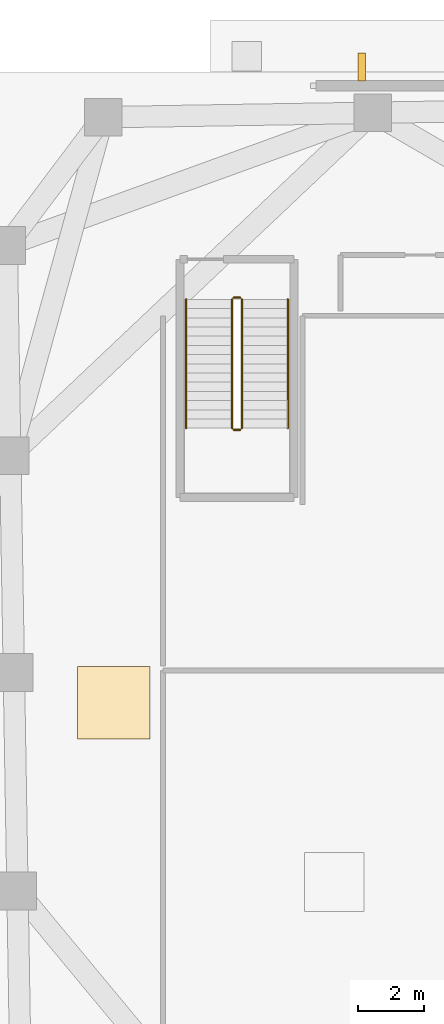
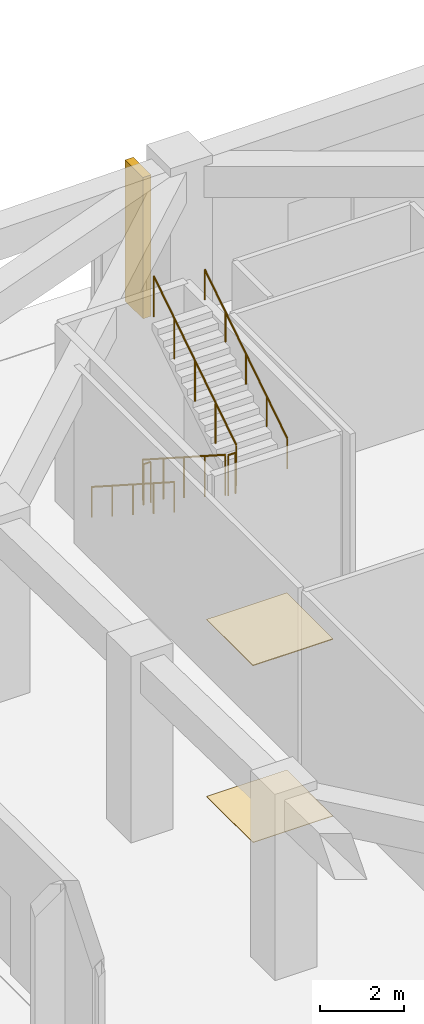
# One storey, part 18 of 19: 6 railings, 2 coverings, 1 shading device.
"""IFC4 building model written with IfcOpenShell, lengths in metres."""

from ifc_helpers import new_model, si_unit, direction, frame, origin, origin_2d, place, context, subcontext, project, spatial, rectangle, circle, extrude, material, layer, layer_set, type_object, element, save


model = new_model("IFC4")

# Units and contexts
model_context = context("Model", 3, precision=1e-05, world=origin(), true_north=direction((0.0, 1.0)))
body_context = subcontext(model_context, "Body", "Model", "MODEL_VIEW")
ifc_project = project(units=[si_unit("LENGTHUNIT", "METRE"), si_unit("AREAUNIT", "SQUARE_METRE"), si_unit("VOLUMEUNIT", "CUBIC_METRE"), si_unit("PLANEANGLEUNIT", "RADIAN"), si_unit("MASSUNIT", "GRAM", prefix="KILO")], contexts=[model_context])

# Site, building, storey
site_placement = place(None, origin())
site = spatial("IfcSite", under=ifc_project, at=site_placement, CompositionType="ELEMENT")
building_placement = place(site_placement, origin())
building = spatial("IfcBuilding", under=site, at=building_placement, Name="Gaonmaruhae Medical Tower", CompositionType="ELEMENT")
storey_placement = place(building_placement, origin())
storey = spatial("IfcBuildingStorey", under=building, at=storey_placement, Name="L00", CompositionType="ELEMENT", Elevation=0.0)

# Coverings
ifc_material_1 = material(Name="Acoustic mineral ceiling tile", Category="finish")
ifc_layer_1 = layer(ifc_material_1, 0.02490234375)
ifc_layer_set_1 = layer_set([ifc_layer_1], Name="Acoustic mineral ceiling tile")
covering_type_1 = type_object("IfcCoveringType", Name="CLG-01 Antimicrobial Acoustic Mineral Ceiling", PredefinedType="CEILING", material=ifc_layer_set_1)
covering_1_placement = place(storey_placement, frame((9.050048828125, 32.02490234375, 5.125), z_axis=(0.0, 0.0, 1.0), x_axis=(1.0, 0.0, 0.0)))
element("IfcCovering", 1, at=covering_1_placement, inside=storey, type_object=covering_type_1, Name="L00 Clinical Corridor Acoustic Ceiling", PredefinedType="CEILING", context=body_context, shape_type="SweptSolid", body=[
    extrude(rectangle(XDim=2.199951171875, YDim=2.199951171875, at=origin_2d()), origin(), (0.0, 0.0, 1.0), 0.02490234375),
])
ifc_material_2 = material(Name="Seamless clinical vinyl flooring", Category="finish")
ifc_layer_2 = layer(ifc_material_2, 0.014892578125)
ifc_layer_set_2 = layer_set([ifc_layer_2], Name="Seamless clinical vinyl flooring")
covering_type_2 = type_object("IfcCoveringType", Name="FLR-01 Seamless Clinical Antistatic Vinyl Flooring", PredefinedType="FLOORING", material=ifc_layer_set_2)
covering_2_placement = place(storey_placement, frame((9.050048828125, 32.02490234375, 0.00048828125), z_axis=(0.0, 0.0, 1.0), x_axis=(1.0, 0.0, 0.0)))
element("IfcCovering", 2, at=covering_2_placement, inside=storey, type_object=covering_type_2, Name="L00 Clinical Corridor Vinyl Flooring", PredefinedType="FLOORING", context=body_context, shape_type="SweptSolid", body=[
    extrude(rectangle(XDim=2.199951171875, YDim=2.199951171875, at=origin_2d()), origin(), (0.0, 0.0, 1.0), 0.014892578125),
])

# Railings
ifc_material_3 = material(Name="Stainless steel 304 handrail", Category="steel")
railing_type_1 = type_object("IfcRailingType", Name="HR-092 Continuous Stainless Steel Stair Handrail", PredefinedType="HANDRAIL", material=ifc_material_3)
railing_1_placement = place(storey_placement, frame((11.25, 44.300048828125, 0.179931640625)))
element("IfcRailing", 3, at=railing_1_placement, inside=storey, type_object=railing_type_1, Name="L00 ST-05 stair handrail 1", PredefinedType="HANDRAIL", context=body_context, shape_type="SweptSolid", body=[
    extrude(circle(Radius=0.02392578125, at=origin_2d()), frame((0.0, 0.0, 0.8759765625), z_axis=(0.0, -0.841186985886, 0.540744352514), x_axis=(1.0, 0.0, 0.0)), (0.0, 0.0, 1.0), 4.660400390625),
    extrude(circle(Radius=0.02099609375, at=origin_2d()), origin(), (0.0, 0.0, 1.0), 0.851806640625),
    extrude(circle(Radius=0.02099609375, at=origin_2d()), frame((0.0, -0.97998046875, 0.6298828125)), (0.0, 0.0, 1.0), 0.851806640625),
    extrude(circle(Radius=0.02099609375, at=origin_2d()), frame((0.0, -1.9599609375, 1.260009765625)), (0.0, 0.0, 1.0), 0.851806640625),
    extrude(circle(Radius=0.02099609375, at=origin_2d()), frame((0.0, -2.940185546875, 1.89013671875)), (0.0, 0.0, 1.0), 0.851806640625),
    extrude(circle(Radius=0.02099609375, at=origin_2d()), frame((0.0, -3.920166015625, 2.52001953125)), (0.0, 0.0, 1.0), 0.851806640625),
])
railing_2_placement = place(storey_placement, frame((14.35009765625, 40.3798828125, 2.8798828125)))
element("IfcRailing", 4, at=railing_2_placement, inside=storey, type_object=railing_type_1, Name="L00 ST-05 stair handrail 2", PredefinedType="HANDRAIL", context=body_context, shape_type="SweptSolid", body=[
    extrude(circle(Radius=0.02392578125, at=origin_2d()), frame((0.0, 0.0, 0.8759765625), z_axis=(0.0, 0.841186985886, 0.540744352514), x_axis=(-1.0, 0.0, 0.0)), (0.0, 0.0, 1.0), 4.660400390625),
    extrude(circle(Radius=0.02099609375, at=origin_2d()), origin(), (0.0, 0.0, 1.0), 0.851806640625),
    extrude(circle(Radius=0.02099609375, at=origin_2d()), frame((0.0, 0.97998046875, 0.6298828125)), (0.0, 0.0, 1.0), 0.851806640625),
    extrude(circle(Radius=0.02099609375, at=origin_2d()), frame((0.0, 1.9599609375, 1.260009765625)), (0.0, 0.0, 1.0), 0.851806640625),
    extrude(circle(Radius=0.02099609375, at=origin_2d()), frame((0.0, 2.940185546875, 1.89013671875)), (0.0, 0.0, 1.0), 0.851806640625),
    extrude(circle(Radius=0.02099609375, at=origin_2d()), frame((0.0, 3.920166015625, 2.52001953125)), (0.0, 0.0, 1.0), 0.851806640625),
])

# Shading device
ifc_material_4 = material(Name="Pigmented coral precast concrete C45/55", Category="concrete")
shading_device_type = type_object("IfcShadingDeviceType", Name="SD-FIN2 Podium Vertical Coral Precast Shading Fin", PredefinedType="USERDEFINED", material=ifc_material_4)
shading_device_placement = place(storey_placement, frame((16.60009765625, 51.364990234375, 0.06494140625), z_axis=(0.0, 0.0, 1.0), x_axis=(1.0, 0.0, 0.0)))
element("IfcShadingDevice", 5, at=shading_device_placement, inside=storey, type_object=shading_device_type, Name="L00 Podium Coral Precast Shading Fin PB-N2", ObjectType="FIN", PredefinedType="USERDEFINED", context=body_context, shape_type="SweptSolid", body=[
    extrude(rectangle(XDim=0.219970703125, YDim=0.85009765625, at=origin_2d()), origin(), (0.0, 0.0, 1.0), 4.10009765625),
])

# Railings
ifc_material_5 = material(Name="Stainless steel 304 balustrade", Category="steel")
railing_type_2 = type_object("IfcRailingType", Name="SG-112 Stair Well & Ramp Void Safety Balustrade", PredefinedType="BALUSTRADE", material=ifc_material_5)
railing_3_placement = place(storey_placement, frame((12.64990234375, 44.300048828125, 0.179931640625)))
element("IfcRailing", 6, at=railing_3_placement, inside=storey, type_object=railing_type_2, Name="L00 ST-05 stair guard 1", PredefinedType="BALUSTRADE", context=body_context, shape_type="SweptSolid", body=[
    extrude(circle(Radius=0.02392578125, at=origin_2d()), frame((0.0, 0.0, 1.17578125), z_axis=(0.0, -0.841186985886, 0.540744352514), x_axis=(1.0, 0.0, 0.0)), (0.0, 0.0, 1.0), 4.660400390625),
    extrude(circle(Radius=0.02099609375, at=origin_2d()), origin(), (0.0, 0.0, 1.0), 1.15185546875),
    extrude(circle(Radius=0.02099609375, at=origin_2d()), frame((0.0, -0.97998046875, 0.6298828125)), (0.0, 0.0, 1.0), 1.15185546875),
    extrude(circle(Radius=0.02099609375, at=origin_2d()), frame((0.0, -1.9599609375, 1.260009765625)), (0.0, 0.0, 1.0), 1.15185546875),
    extrude(circle(Radius=0.02099609375, at=origin_2d()), frame((0.0, -2.940185546875, 1.89013671875)), (0.0, 0.0, 1.0), 1.15185546875),
    extrude(circle(Radius=0.02099609375, at=origin_2d()), frame((0.0, -3.920166015625, 2.52001953125)), (0.0, 0.0, 1.0), 1.15185546875),
])
railing_4_placement = place(storey_placement, frame((12.699951171875, 40.330078125, 2.699951171875)))
element("IfcRailing", 7, at=railing_4_placement, inside=storey, type_object=railing_type_2, Name="L00 ST-05 stair guard 2", PredefinedType="BALUSTRADE", context=body_context, shape_type="SweptSolid", body=[
    extrude(circle(Radius=0.02392578125, at=origin_2d()), frame((0.0, 0.0, 1.17578125), z_axis=(1.0, 0.0, 0.0), x_axis=(0.0, 1.0, 0.0)), (0.0, 0.0, 1.0), 0.199951171875),
    extrude(circle(Radius=0.02099609375, at=origin_2d()), origin(), (0.0, 0.0, 1.0), 1.15185546875),
    extrude(circle(Radius=0.02099609375, at=origin_2d()), frame((0.199951171875, 0.0, 0.0)), (0.0, 0.0, 1.0), 1.15185546875),
])
railing_5_placement = place(storey_placement, frame((12.949951171875, 40.3798828125, 2.8798828125)))
element("IfcRailing", 8, at=railing_5_placement, inside=storey, type_object=railing_type_2, Name="L00 ST-05 stair guard 3", PredefinedType="BALUSTRADE", context=body_context, shape_type="SweptSolid", body=[
    extrude(circle(Radius=0.02392578125, at=origin_2d()), frame((0.0, 0.0, 1.17578125), z_axis=(0.0, 0.841186985886, 0.540744352514), x_axis=(-1.0, 0.0, 0.0)), (0.0, 0.0, 1.0), 4.660400390625),
    extrude(circle(Radius=0.02099609375, at=origin_2d()), origin(), (0.0, 0.0, 1.0), 1.15185546875),
    extrude(circle(Radius=0.02099609375, at=origin_2d()), frame((0.0, 0.97998046875, 0.6298828125)), (0.0, 0.0, 1.0), 1.15185546875),
    extrude(circle(Radius=0.02099609375, at=origin_2d()), frame((0.0, 1.9599609375, 1.260009765625)), (0.0, 0.0, 1.0), 1.15185546875),
    extrude(circle(Radius=0.02099609375, at=origin_2d()), frame((0.0, 2.940185546875, 1.89013671875)), (0.0, 0.0, 1.0), 1.15185546875),
    extrude(circle(Radius=0.02099609375, at=origin_2d()), frame((0.0, 3.920166015625, 2.52001953125)), (0.0, 0.0, 1.0), 1.15185546875),
])
railing_6_placement = place(storey_placement, frame((12.699951171875, 44.35009765625, 0.0)))
element("IfcRailing", 9, at=railing_6_placement, inside=storey, type_object=railing_type_2, Name="L00 ST-05 stair guard 4", PredefinedType="BALUSTRADE", context=body_context, shape_type="SweptSolid", body=[
    extrude(circle(Radius=0.02392578125, at=origin_2d()), frame((0.0, 0.0, 1.17578125), z_axis=(1.0, 0.0, 0.0), x_axis=(0.0, 1.0, 0.0)), (0.0, 0.0, 1.0), 0.199951171875),
    extrude(circle(Radius=0.02099609375, at=origin_2d()), origin(), (0.0, 0.0, 1.0), 1.15185546875),
    extrude(circle(Radius=0.02099609375, at=origin_2d()), frame((0.199951171875, 0.0, 0.0)), (0.0, 0.0, 1.0), 1.15185546875),
])

save(model, "model.ifc")
